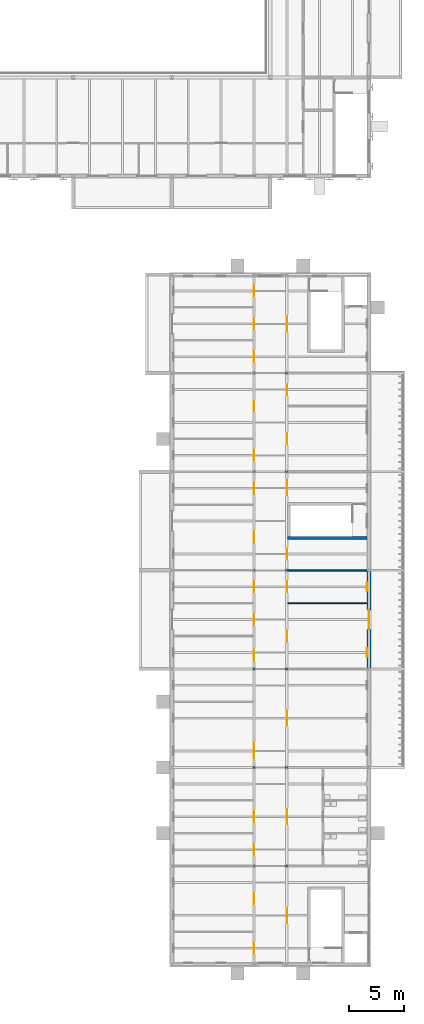
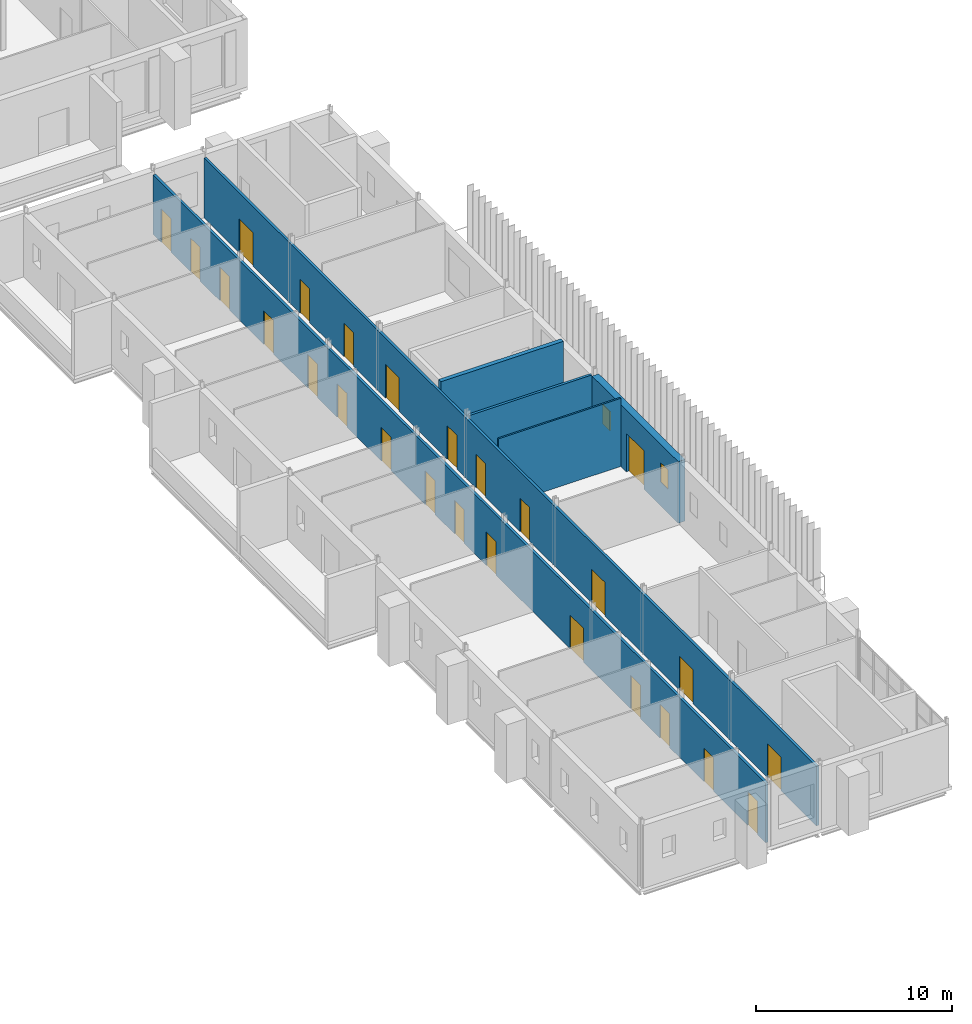
# One storey, part 92 of 131: 26 doors, 6 walls, 2 windows, 28 openings.
"""IFC4 building model written with IfcOpenShell, lengths in metres."""

from ifc_helpers import new_model, si_unit, direction, frame, frame_2d, origin, place, context, subcontext, project, spatial, rectangle, extrude, material, layer, layer_set, type_object, element, fill, save


model = new_model("IFC4")

# Units and contexts
model_context = context("Model", 3, precision=1e-05, world=origin(), true_north=direction((0.0, 1.0)))
body_context = subcontext(model_context, "Body", "Model", "MODEL_VIEW")
ifc_project = project(units=[si_unit("LENGTHUNIT", "METRE"), si_unit("AREAUNIT", "SQUARE_METRE"), si_unit("VOLUMEUNIT", "CUBIC_METRE"), si_unit("PLANEANGLEUNIT", "RADIAN"), si_unit("MASSUNIT", "GRAM", prefix="KILO")], contexts=[model_context])

# Site, building, storey
site_placement = place(None, origin())
site = spatial("IfcSite", under=ifc_project, at=site_placement, CompositionType="ELEMENT")
building_placement = place(site_placement, origin())
building = spatial("IfcBuilding", under=site, at=building_placement, Name="Golden Quay Civic Hall", CompositionType="ELEMENT")
storey_placement = place(building_placement, frame((0.0, 0.0, 9.89990234375)))
storey = spatial("IfcBuildingStorey", under=building, at=storey_placement, Name="L02", CompositionType="ELEMENT", Elevation=9.89990234375)

# Wall, openings, windows, door
ifc_material_1 = material(Name="Brick, dark clay facing", Category="masonry")
ifc_layer_1 = layer(ifc_material_1, 0.39990234375)
ifc_layer_set_1 = layer_set([ifc_layer_1], Name="Brick external wall 400")
wall_type_1 = type_object("IfcWallType", Name="Brick external wall 400", PredefinedType="STANDARD", material=ifc_layer_set_1)
wall_1_placement = place(storey_placement, frame((171.0, 26.905029296875, 0.0), z_axis=(0.0, 0.0, 1.0), x_axis=(0.0, -1.0, 0.0)))
wall_1 = element("IfcWall", 1, at=wall_1_placement, inside=storey, type_object=wall_type_1, Name="Brick external wall 400 L02 22", PredefinedType="STANDARD", context=body_context, shape_type="SweptSolid", body=[
    extrude(rectangle(XDim=8.81005859375, YDim=0.39990234375, at=frame_2d((4.405029296875, 0.0))), origin(), (0.0, 0.0, 1.0), 3.85009765625),
])
opening_1_placement = place(wall_1_placement, frame((3.5048828125, 0.0, 0.0)))
opening_1 = element("IfcOpeningElement", 2, at=opening_1_placement, cuts=wall_1, Name="Opening L02-D007", PredefinedType="OPENING", context=body_context, shape_type="SweptSolid", body=[
    extrude(rectangle(XDim=1.800048828125, YDim=2.39990234375, at=frame_2d((0.89990234375, 1.199951171875))), frame((0.0, 0.2099609375, 0.0), z_axis=(0.0, -1.0, 0.0), x_axis=(1.0, 0.0, 0.0)), (0.0, 0.0, 1.0), 0.419921875),
])
opening_2_placement = place(wall_1_placement, frame((7.030029296875, 0.0, 1.5)))
opening_2 = element("IfcOpeningElement", 3, at=opening_2_placement, cuts=wall_1, Name="Opening WN11", PredefinedType="OPENING", context=body_context, shape_type="SweptSolid", body=[
    extrude(rectangle(XDim=0.75, YDim=1.199951171875, at=frame_2d((0.375, 0.60009765625))), frame((0.0, 0.2099609375, 0.0), z_axis=(0.0, -1.0, 0.0), x_axis=(1.0, 0.0, 0.0)), (0.0, 0.0, 1.0), 0.419921875),
])
opening_3_placement = place(wall_1_placement, frame((1.030029296875, 0.0, 1.5)))
opening_3 = element("IfcOpeningElement", 4, at=opening_3_placement, cuts=wall_1, Name="Opening WN11", PredefinedType="OPENING", context=body_context, shape_type="SweptSolid", body=[
    extrude(rectangle(XDim=0.75, YDim=1.199951171875, at=frame_2d((0.375, 0.60009765625))), frame((0.0, 0.2099609375, 0.0), z_axis=(0.0, -1.0, 0.0), x_axis=(1.0, 0.0, 0.0)), (0.0, 0.0, 1.0), 0.419921875),
])
ifc_material_2 = material(Name="Aluminium frame, double glazed", Category="aluminium")
window_type = type_object("IfcWindowType", Name="Attic pair window 750 x 1200", PartitioningType="SINGLE_PANEL", PredefinedType="WINDOW", material=ifc_material_2)
window_1_placement = place(opening_2_placement, origin())
window_1 = element("IfcWindow", 5, at=window_1_placement, inside=storey, type_object=window_type, Name="Attic pair window 750 x 1200 L02 24", OverallHeight=1.199951171875, OverallWidth=0.75, PartitioningType="SINGLE_PANEL", PredefinedType="WINDOW", context=body_context, shape_type="SweptSolid", body=[
    extrude(rectangle(XDim=0.75, YDim=1.199951171875, at=frame_2d((0.375, 0.60009765625))), frame((0.0, -0.119873046875, 0.0), z_axis=(0.0, -1.0, 0.0), x_axis=(1.0, 0.0, 0.0)), (0.0, 0.0, 1.0), 0.06005859375),
])
fill(opening_2, window_1)
window_2_placement = place(opening_3_placement, origin())
window_2 = element("IfcWindow", 6, at=window_2_placement, inside=storey, type_object=window_type, Name="Attic pair window 750 x 1200 L02 25", OverallHeight=1.199951171875, OverallWidth=0.75, PartitioningType="SINGLE_PANEL", PredefinedType="WINDOW", context=body_context, shape_type="SweptSolid", body=[
    extrude(rectangle(XDim=0.75, YDim=1.199951171875, at=frame_2d((0.375, 0.60009765625))), frame((0.0, -0.119873046875, 0.0), z_axis=(0.0, -1.0, 0.0), x_axis=(1.0, 0.0, 0.0)), (0.0, 0.0, 1.0), 0.06005859375),
])
fill(opening_3, window_2)
ifc_material_3 = material(Name="Aluminium frame, glazed", Category="aluminium")
door_type_1 = type_object("IfcDoorType", Name="Glazed double terrace door 1800 x 2400", OperationType="DOUBLE_DOOR_SINGLE_SWING", PredefinedType="DOOR", material=ifc_material_3)
door_1_placement = place(opening_1_placement, origin())
door_1 = element("IfcDoor", 7, at=door_1_placement, inside=storey, type_object=door_type_1, Name="Door L02-D007", OperationType="DOUBLE_DOOR_SINGLE_SWING", OverallHeight=2.39990234375, OverallWidth=1.800048828125, PredefinedType="DOOR", context=body_context, shape_type="SweptSolid", body=[
    extrude(rectangle(XDim=1.800048828125, YDim=2.39990234375, at=frame_2d((0.89990234375, 1.199951171875))), frame((0.0, 0.02490234375, 0.0), z_axis=(0.0, -1.0, 0.0), x_axis=(1.0, 0.0, 0.0)), (0.0, 0.0, 1.0), 0.050048828125),
])
fill(opening_1, door_1)

# Walls
ifc_material_4 = material(Name="Concrete C40/50", Category="concrete")
ifc_layer_2 = layer(ifc_material_4, 0.25)
ifc_layer_set_2 = layer_set([ifc_layer_2], Name="Concrete core wall 250, Concrete C40/50")
wall_type_2 = type_object("IfcWallType", Name="Concrete core wall 250", PredefinedType="SHEAR", material=ifc_layer_set_2)
wall_2_placement = place(storey_placement, frame((163.574951171875, 29.949951171875, 0.0), z_axis=(0.0, 0.0, 1.0), x_axis=(1.0, 0.0, 0.0)))
element("IfcWall", 8, at=wall_2_placement, inside=storey, type_object=wall_type_2, Name="Core wall EO-M-W2", PredefinedType="SHEAR", context=body_context, shape_type="SweptSolid", body=[
    extrude(rectangle(XDim=7.22509765625, YDim=0.25, at=frame_2d((3.612548828125, 0.0))), origin(), (0.0, 0.0, 1.0), 4.25),
])
ifc_material_5 = material(Name="Plasterboard on steel studs", Category="steel")
ifc_layer_3 = layer(ifc_material_5, 0.10009765625)
ifc_layer_set_3 = layer_set([ifc_layer_3], Name="Partition 100 stud")
wall_type_3 = type_object("IfcWallType", Name="Partition 100 stud", PredefinedType="PARTITIONING", material=ifc_layer_set_3)
wall_3_placement = place(storey_placement, frame((163.574951171875, 24.0, 0.0), z_axis=(0.0, 0.0, 1.0), x_axis=(1.0, 0.0, 0.0)))
element("IfcWall", 9, at=wall_3_placement, inside=storey, type_object=wall_type_3, Name="Partition L02-002", PredefinedType="PARTITIONING", context=body_context, shape_type="SweptSolid", body=[
    extrude(rectangle(XDim=7.22509765625, YDim=0.10009765625, at=frame_2d((3.612548828125, 0.0))), origin(), (0.0, 0.0, 1.0), 4.25),
])
ifc_material_6 = material(Name="Plasterboard on steel studs", Category="steel")
ifc_layer_4 = layer(ifc_material_6, 0.14990234375)
ifc_layer_set_4 = layer_set([ifc_layer_4], Name="Partition 150 stud fire EI 60")
wall_type_4 = type_object("IfcWallType", Name="Partition 150 stud fire EI 60", PredefinedType="PARTITIONING", material=ifc_layer_set_4)
wall_4_placement = place(storey_placement, frame((163.574951171875, 27.0, 0.0), z_axis=(0.0, 0.0, 1.0), x_axis=(1.0, 0.0, 0.0)))
element("IfcWall", 10, at=wall_4_placement, inside=storey, type_object=wall_type_4, Name="Partition L02-003", PredefinedType="PARTITIONING", context=body_context, shape_type="SweptSolid", body=[
    extrude(rectangle(XDim=7.22509765625, YDim=0.14990234375, at=frame_2d((3.612548828125, 0.0))), origin(), (0.0, 0.0, 1.0), 3.900146484375),
])

# Wall, openings, doors
wall_5_placement = place(storey_placement, frame((163.5, -8.800048828125, 0.0), z_axis=(0.0, 0.0, 1.0), x_axis=(0.0, 1.0, 0.0)))
wall_5 = element("IfcWall", 11, at=wall_5_placement, inside=storey, type_object=wall_type_4, Name="Partition L02-022", PredefinedType="PARTITIONING", context=body_context, shape_type="SweptSolid", body=[
    extrude(rectangle(XDim=62.60009765625, YDim=0.14990234375, at=frame_2d((31.300048828125, 0.0))), origin(), (0.0, 0.0, 1.0), 3.72998046875),
])
opening_4_placement = place(wall_5_placement, frame((21.60009765625, 0.0, 0.0)))
opening_4 = element("IfcOpeningElement", 12, at=opening_4_placement, cuts=wall_5, Name="Opening L02-D130", PredefinedType="OPENING", context=body_context, shape_type="SweptSolid", body=[
    extrude(rectangle(XDim=1.39990234375, YDim=2.10009765625, at=frame_2d((0.699951171875, 1.050048828125))), frame((0.0, 0.0849609375, 0.0), z_axis=(0.0, -1.0, 0.0), x_axis=(1.0, 0.0, 0.0)), (0.0, 0.0, 1.0), 0.169921875),
])
opening_5_placement = place(wall_5_placement, frame((29.300048828125, 0.0, 0.0)))
opening_5 = element("IfcOpeningElement", 13, at=opening_5_placement, cuts=wall_5, Name="Opening L02-D131", PredefinedType="OPENING", context=body_context, shape_type="SweptSolid", body=[
    extrude(rectangle(XDim=1.0, YDim=2.10009765625, at=frame_2d((0.5, 1.050048828125))), frame((0.0, 0.0849609375, 0.0), z_axis=(0.0, -1.0, 0.0), x_axis=(1.0, 0.0, 0.0)), (0.0, 0.0, 1.0), 0.169921875),
])
opening_6_placement = place(wall_5_placement, frame((33.800048828125, 0.0, 0.0)))
opening_6 = element("IfcOpeningElement", 14, at=opening_6_placement, cuts=wall_5, Name="Opening L02-D132", PredefinedType="OPENING", context=body_context, shape_type="SweptSolid", body=[
    extrude(rectangle(XDim=1.0, YDim=2.10009765625, at=frame_2d((0.5, 1.050048828125))), frame((0.0, 0.0849609375, 0.0), z_axis=(0.0, -1.0, 0.0), x_axis=(1.0, 0.0, 0.0)), (0.0, 0.0, 1.0), 0.169921875),
])
opening_7_placement = place(wall_5_placement, frame((47.300048828125, 0.0, 0.0)))
opening_7 = element("IfcOpeningElement", 15, at=opening_7_placement, cuts=wall_5, Name="Opening L02-D133", PredefinedType="OPENING", context=body_context, shape_type="SweptSolid", body=[
    extrude(rectangle(XDim=1.0, YDim=2.10009765625, at=frame_2d((0.5, 1.050048828125))), frame((0.0, 0.0849609375, 0.0), z_axis=(0.0, -1.0, 0.0), x_axis=(1.0, 0.0, 0.0)), (0.0, 0.0, 1.0), 0.169921875),
])
opening_8_placement = place(wall_5_placement, frame((51.800048828125, 0.0, 0.0)))
opening_8 = element("IfcOpeningElement", 16, at=opening_8_placement, cuts=wall_5, Name="Opening L02-D134", PredefinedType="OPENING", context=body_context, shape_type="SweptSolid", body=[
    extrude(rectangle(XDim=1.0, YDim=2.10009765625, at=frame_2d((0.5, 1.050048828125))), frame((0.0, 0.0849609375, 0.0), z_axis=(0.0, -1.0, 0.0), x_axis=(1.0, 0.0, 0.0)), (0.0, 0.0, 1.0), 0.169921875),
])
opening_9_placement = place(wall_5_placement, frame((12.60009765625, 0.0, 0.0)))
opening_9 = element("IfcOpeningElement", 17, at=opening_9_placement, cuts=wall_5, Name="Opening L02-D150", PredefinedType="OPENING", context=body_context, shape_type="SweptSolid", body=[
    extrude(rectangle(XDim=1.39990234375, YDim=2.10009765625, at=frame_2d((0.699951171875, 1.050048828125))), frame((0.0, 0.0849609375, 0.0), z_axis=(0.0, -1.0, 0.0), x_axis=(1.0, 0.0, 0.0)), (0.0, 0.0, 1.0), 0.169921875),
])
opening_10_placement = place(wall_5_placement, frame((3.60009765625, 0.0, 0.0)))
opening_10 = element("IfcOpeningElement", 18, at=opening_10_placement, cuts=wall_5, Name="Opening L02-D155", PredefinedType="OPENING", context=body_context, shape_type="SweptSolid", body=[
    extrude(rectangle(XDim=1.39990234375, YDim=2.10009765625, at=frame_2d((0.699951171875, 1.050048828125))), frame((0.0, 0.0849609375, 0.0), z_axis=(0.0, -1.0, 0.0), x_axis=(1.0, 0.0, 0.0)), (0.0, 0.0, 1.0), 0.169921875),
])
opening_11_placement = place(wall_5_placement, frame((57.60009765625, 0.0, 0.0)))
opening_11 = element("IfcOpeningElement", 19, at=opening_11_placement, cuts=wall_5, Name="Opening L02-D157", PredefinedType="OPENING", context=body_context, shape_type="SweptSolid", body=[
    extrude(rectangle(XDim=1.39990234375, YDim=2.10009765625, at=frame_2d((0.699951171875, 1.050048828125))), frame((0.0, 0.0849609375, 0.0), z_axis=(0.0, -1.0, 0.0), x_axis=(1.0, 0.0, 0.0)), (0.0, 0.0, 1.0), 0.169921875),
])
opening_12_placement = place(wall_5_placement, frame((36.75, 0.0, 0.0)))
opening_12 = element("IfcOpeningElement", 20, at=opening_12_placement, cuts=wall_5, Name="Opening L02-D158", PredefinedType="OPENING", context=body_context, shape_type="SweptSolid", body=[
    extrude(rectangle(XDim=1.0, YDim=2.10009765625, at=frame_2d((0.5, 1.050048828125))), frame((0.0, 0.0849609375, 0.0), z_axis=(0.0, -1.0, 0.0), x_axis=(1.0, 0.0, 0.0)), (0.0, 0.0, 1.0), 0.169921875),
])
opening_13_placement = place(wall_5_placement, frame((42.64990234375, 0.0, 0.0)))
opening_13 = element("IfcOpeningElement", 21, at=opening_13_placement, cuts=wall_5, Name="Opening L02-D160", PredefinedType="OPENING", context=body_context, shape_type="SweptSolid", body=[
    extrude(rectangle(XDim=1.39990234375, YDim=2.10009765625, at=frame_2d((0.699951171875, 1.050048828125))), frame((0.0, 0.0849609375, 0.0), z_axis=(0.0, -1.0, 0.0), x_axis=(1.0, 0.0, 0.0)), (0.0, 0.0, 1.0), 0.169921875),
])
ifc_material_7 = material(Name="Steel", Category="steel")
door_type_2 = type_object("IfcDoorType", Name="Steel double fire door FD30S 1400 x 2100", OperationType="DOUBLE_DOOR_SINGLE_SWING", PredefinedType="DOOR", material=ifc_material_7)
door_2_placement = place(opening_4_placement, frame((1.39990234375, 0.0, 0.0), z_axis=(0.0, 0.0, 1.0), x_axis=(-1.0, 0.0, 0.0)))
door_2 = element("IfcDoor", 22, at=door_2_placement, inside=storey, type_object=door_type_2, Name="Door L02-D130", OperationType="DOUBLE_DOOR_SINGLE_SWING", OverallHeight=2.10009765625, OverallWidth=1.39990234375, PredefinedType="DOOR", context=body_context, shape_type="SweptSolid", body=[
    extrude(rectangle(XDim=1.39990234375, YDim=2.10009765625, at=frame_2d((0.699951171875, 1.050048828125))), frame((0.0, 0.025146484375, 0.0), z_axis=(0.0, -1.0, 0.0), x_axis=(1.0, 0.0, 0.0)), (0.0, 0.0, 1.0), 0.050048828125),
])
fill(opening_4, door_2)
door_3_placement = place(opening_9_placement, frame((1.39990234375, 0.0, 0.0), z_axis=(0.0, 0.0, 1.0), x_axis=(-1.0, 0.0, 0.0)))
door_3 = element("IfcDoor", 23, at=door_3_placement, inside=storey, type_object=door_type_2, Name="Door L02-D150", OperationType="DOUBLE_DOOR_SINGLE_SWING", OverallHeight=2.10009765625, OverallWidth=1.39990234375, PredefinedType="DOOR", context=body_context, shape_type="SweptSolid", body=[
    extrude(rectangle(XDim=1.39990234375, YDim=2.10009765625, at=frame_2d((0.699951171875, 1.050048828125))), frame((0.0, 0.025146484375, 0.0), z_axis=(0.0, -1.0, 0.0), x_axis=(1.0, 0.0, 0.0)), (0.0, 0.0, 1.0), 0.050048828125),
])
fill(opening_9, door_3)
door_4_placement = place(opening_10_placement, origin())
door_4 = element("IfcDoor", 24, at=door_4_placement, inside=storey, type_object=door_type_2, Name="Door L02-D155", OperationType="DOUBLE_DOOR_SINGLE_SWING", OverallHeight=2.10009765625, OverallWidth=1.39990234375, PredefinedType="DOOR", context=body_context, shape_type="SweptSolid", body=[
    extrude(rectangle(XDim=1.39990234375, YDim=2.10009765625, at=frame_2d((0.699951171875, 1.050048828125))), frame((0.0, 0.02490234375, 0.0), z_axis=(0.0, -1.0, 0.0), x_axis=(1.0, 0.0, 0.0)), (0.0, 0.0, 1.0), 0.050048828125),
])
fill(opening_10, door_4)
door_5_placement = place(opening_11_placement, origin())
door_5 = element("IfcDoor", 25, at=door_5_placement, inside=storey, type_object=door_type_2, Name="Door L02-D157", OperationType="DOUBLE_DOOR_SINGLE_SWING", OverallHeight=2.10009765625, OverallWidth=1.39990234375, PredefinedType="DOOR", context=body_context, shape_type="SweptSolid", body=[
    extrude(rectangle(XDim=1.39990234375, YDim=2.10009765625, at=frame_2d((0.699951171875, 1.050048828125))), frame((0.0, 0.02490234375, 0.0), z_axis=(0.0, -1.0, 0.0), x_axis=(1.0, 0.0, 0.0)), (0.0, 0.0, 1.0), 0.050048828125),
])
fill(opening_11, door_5)
door_6_placement = place(opening_13_placement, origin())
door_6 = element("IfcDoor", 26, at=door_6_placement, inside=storey, type_object=door_type_2, Name="Door L02-D160", OperationType="DOUBLE_DOOR_SINGLE_SWING", OverallHeight=2.10009765625, OverallWidth=1.39990234375, PredefinedType="DOOR", context=body_context, shape_type="SweptSolid", body=[
    extrude(rectangle(XDim=1.39990234375, YDim=2.10009765625, at=frame_2d((0.699951171875, 1.050048828125))), frame((0.0, 0.02490234375, 0.0), z_axis=(0.0, -1.0, 0.0), x_axis=(1.0, 0.0, 0.0)), (0.0, 0.0, 1.0), 0.050048828125),
])
fill(opening_13, door_6)
ifc_material_8 = material(Name="Steel", Category="steel")
door_type_3 = type_object("IfcDoorType", Name="Steel fire door FD30S 1000 x 2100", OperationType="SINGLE_SWING_LEFT", PredefinedType="DOOR", material=ifc_material_8)
door_7_placement = place(opening_5_placement, frame((1.0, 0.0, 0.0), z_axis=(0.0, 0.0, 1.0), x_axis=(-1.0, 0.0, 0.0)))
door_7 = element("IfcDoor", 27, at=door_7_placement, inside=storey, type_object=door_type_3, Name="Door L02-D131", OperationType="SINGLE_SWING_RIGHT", OverallHeight=2.10009765625, OverallWidth=1.0, PredefinedType="DOOR", context=body_context, shape_type="SweptSolid", body=[
    extrude(rectangle(XDim=1.0, YDim=2.10009765625, at=frame_2d((0.5, 1.050048828125))), frame((0.0, 0.025146484375, 0.0), z_axis=(0.0, -1.0, 0.0), x_axis=(1.0, 0.0, 0.0)), (0.0, 0.0, 1.0), 0.050048828125),
])
fill(opening_5, door_7)
door_8_placement = place(opening_6_placement, frame((1.0, 0.0, 0.0), z_axis=(0.0, 0.0, 1.0), x_axis=(-1.0, 0.0, 0.0)))
door_8 = element("IfcDoor", 28, at=door_8_placement, inside=storey, type_object=door_type_3, Name="Door L02-D132", OperationType="SINGLE_SWING_RIGHT", OverallHeight=2.10009765625, OverallWidth=1.0, PredefinedType="DOOR", context=body_context, shape_type="SweptSolid", body=[
    extrude(rectangle(XDim=1.0, YDim=2.10009765625, at=frame_2d((0.5, 1.050048828125))), frame((0.0, 0.025146484375, 0.0), z_axis=(0.0, -1.0, 0.0), x_axis=(1.0, 0.0, 0.0)), (0.0, 0.0, 1.0), 0.050048828125),
])
fill(opening_6, door_8)
door_9_placement = place(opening_7_placement, frame((1.0, 0.0, 0.0), z_axis=(0.0, 0.0, 1.0), x_axis=(-1.0, 0.0, 0.0)))
door_9 = element("IfcDoor", 29, at=door_9_placement, inside=storey, type_object=door_type_3, Name="Door L02-D133", OperationType="SINGLE_SWING_RIGHT", OverallHeight=2.10009765625, OverallWidth=1.0, PredefinedType="DOOR", context=body_context, shape_type="SweptSolid", body=[
    extrude(rectangle(XDim=1.0, YDim=2.10009765625, at=frame_2d((0.5, 1.050048828125))), frame((0.0, 0.025146484375, 0.0), z_axis=(0.0, -1.0, 0.0), x_axis=(1.0, 0.0, 0.0)), (0.0, 0.0, 1.0), 0.050048828125),
])
fill(opening_7, door_9)
door_10_placement = place(opening_8_placement, frame((1.0, 0.0, 0.0), z_axis=(0.0, 0.0, 1.0), x_axis=(-1.0, 0.0, 0.0)))
door_10 = element("IfcDoor", 30, at=door_10_placement, inside=storey, type_object=door_type_3, Name="Door L02-D134", OperationType="SINGLE_SWING_RIGHT", OverallHeight=2.10009765625, OverallWidth=1.0, PredefinedType="DOOR", context=body_context, shape_type="SweptSolid", body=[
    extrude(rectangle(XDim=1.0, YDim=2.10009765625, at=frame_2d((0.5, 1.050048828125))), frame((0.0, 0.025146484375, 0.0), z_axis=(0.0, -1.0, 0.0), x_axis=(1.0, 0.0, 0.0)), (0.0, 0.0, 1.0), 0.050048828125),
])
fill(opening_8, door_10)
door_11_placement = place(opening_12_placement, frame((1.0, 0.0, 0.0), z_axis=(0.0, 0.0, 1.0), x_axis=(-1.0, 0.0, 0.0)))
door_11 = element("IfcDoor", 31, at=door_11_placement, inside=storey, type_object=door_type_3, Name="Door L02-D158", OperationType="SINGLE_SWING_RIGHT", OverallHeight=2.10009765625, OverallWidth=1.0, PredefinedType="DOOR", context=body_context, shape_type="SweptSolid", body=[
    extrude(rectangle(XDim=1.0, YDim=2.10009765625, at=frame_2d((0.5, 1.050048828125))), frame((0.0, 0.025146484375, 0.0), z_axis=(0.0, -1.0, 0.0), x_axis=(1.0, 0.0, 0.0)), (0.0, 0.0, 1.0), 0.050048828125),
])
fill(opening_12, door_11)

wall_6_placement = place(storey_placement, frame((160.5, -8.800048828125, 0.0), z_axis=(0.0, 0.0, 1.0), x_axis=(0.0, 1.0, 0.0)))
wall_6 = element("IfcWall", 32, at=wall_6_placement, inside=storey, type_object=wall_type_4, Name="Partition L02-023", PredefinedType="PARTITIONING", context=body_context, shape_type="SweptSolid", body=[
    extrude(rectangle(XDim=62.60009765625, YDim=0.14990234375, at=frame_2d((31.300048828125, 0.0))), origin(), (0.0, 0.0, 1.0), 3.72998046875),
])
opening_14_placement = place(wall_6_placement, frame((0.800048828125, 0.0, 0.0)))
opening_14 = element("IfcOpeningElement", 33, at=opening_14_placement, cuts=wall_6, Name="Opening L02-D135", PredefinedType="OPENING", context=body_context, shape_type="SweptSolid", body=[
    extrude(rectangle(XDim=1.0, YDim=2.10009765625, at=frame_2d((0.5, 1.050048828125))), frame((0.0, 0.0849609375, 0.0), z_axis=(0.0, -1.0, 0.0), x_axis=(1.0, 0.0, 0.0)), (0.0, 0.0, 1.0), 0.169921875),
])
opening_15_placement = place(wall_6_placement, frame((5.300048828125, 0.0, 0.0)))
opening_15 = element("IfcOpeningElement", 34, at=opening_15_placement, cuts=wall_6, Name="Opening L02-D136", PredefinedType="OPENING", context=body_context, shape_type="SweptSolid", body=[
    extrude(rectangle(XDim=1.0, YDim=2.10009765625, at=frame_2d((0.5, 1.050048828125))), frame((0.0, 0.0849609375, 0.0), z_axis=(0.0, -1.0, 0.0), x_axis=(1.0, 0.0, 0.0)), (0.0, 0.0, 1.0), 0.169921875),
])
opening_16_placement = place(wall_6_placement, frame((9.800048828125, 0.0, 0.0)))
opening_16 = element("IfcOpeningElement", 35, at=opening_16_placement, cuts=wall_6, Name="Opening L02-D137", PredefinedType="OPENING", context=body_context, shape_type="SweptSolid", body=[
    extrude(rectangle(XDim=1.0, YDim=2.10009765625, at=frame_2d((0.5, 1.050048828125))), frame((0.0, 0.0849609375, 0.0), z_axis=(0.0, -1.0, 0.0), x_axis=(1.0, 0.0, 0.0)), (0.0, 0.0, 1.0), 0.169921875),
])
opening_17_placement = place(wall_6_placement, frame((12.800048828125, 0.0, 0.0)))
opening_17 = element("IfcOpeningElement", 36, at=opening_17_placement, cuts=wall_6, Name="Opening L02-D138", PredefinedType="OPENING", context=body_context, shape_type="SweptSolid", body=[
    extrude(rectangle(XDim=1.0, YDim=2.10009765625, at=frame_2d((0.5, 1.050048828125))), frame((0.0, 0.0849609375, 0.0), z_axis=(0.0, -1.0, 0.0), x_axis=(1.0, 0.0, 0.0)), (0.0, 0.0, 1.0), 0.169921875),
])
opening_18_placement = place(wall_6_placement, frame((18.60009765625, 0.0, 0.0)))
opening_18 = element("IfcOpeningElement", 37, at=opening_18_placement, cuts=wall_6, Name="Opening L02-D139", PredefinedType="OPENING", context=body_context, shape_type="SweptSolid", body=[
    extrude(rectangle(XDim=1.39990234375, YDim=2.10009765625, at=frame_2d((0.699951171875, 1.050048828125))), frame((0.0, 0.0849609375, 0.0), z_axis=(0.0, -1.0, 0.0), x_axis=(1.0, 0.0, 0.0)), (0.0, 0.0, 1.0), 0.169921875),
])
opening_19_placement = place(wall_6_placement, frame((27.550048828125, 0.0, 0.0)))
opening_19 = element("IfcOpeningElement", 38, at=opening_19_placement, cuts=wall_6, Name="Opening L02-D140", PredefinedType="OPENING", context=body_context, shape_type="SweptSolid", body=[
    extrude(rectangle(XDim=1.0, YDim=2.10009765625, at=frame_2d((0.5, 1.050048828125))), frame((0.0, 0.0849609375, 0.0), z_axis=(0.0, -1.0, 0.0), x_axis=(1.0, 0.0, 0.0)), (0.0, 0.0, 1.0), 0.169921875),
])
opening_20_placement = place(wall_6_placement, frame((30.800048828125, 0.0, 0.0)))
opening_20 = element("IfcOpeningElement", 39, at=opening_20_placement, cuts=wall_6, Name="Opening L02-D141", PredefinedType="OPENING", context=body_context, shape_type="SweptSolid", body=[
    extrude(rectangle(XDim=1.0, YDim=2.10009765625, at=frame_2d((0.5, 1.050048828125))), frame((0.0, 0.0849609375, 0.0), z_axis=(0.0, -1.0, 0.0), x_axis=(1.0, 0.0, 0.0)), (0.0, 0.0, 1.0), 0.169921875),
])
opening_21_placement = place(wall_6_placement, frame((33.800048828125, 0.0, 0.0)))
opening_21 = element("IfcOpeningElement", 40, at=opening_21_placement, cuts=wall_6, Name="Opening L02-D142", PredefinedType="OPENING", context=body_context, shape_type="SweptSolid", body=[
    extrude(rectangle(XDim=1.0, YDim=2.10009765625, at=frame_2d((0.5, 1.050048828125))), frame((0.0, 0.0849609375, 0.0), z_axis=(0.0, -1.0, 0.0), x_axis=(1.0, 0.0, 0.0)), (0.0, 0.0, 1.0), 0.169921875),
])
opening_22_placement = place(wall_6_placement, frame((38.300048828125, 0.0, 0.0)))
opening_22 = element("IfcOpeningElement", 41, at=opening_22_placement, cuts=wall_6, Name="Opening L02-D143", PredefinedType="OPENING", context=body_context, shape_type="SweptSolid", body=[
    extrude(rectangle(XDim=1.0, YDim=2.10009765625, at=frame_2d((0.5, 1.050048828125))), frame((0.0, 0.0849609375, 0.0), z_axis=(0.0, -1.0, 0.0), x_axis=(1.0, 0.0, 0.0)), (0.0, 0.0, 1.0), 0.169921875),
])
opening_23_placement = place(wall_6_placement, frame((42.800048828125, 0.0, 0.0)))
opening_23 = element("IfcOpeningElement", 42, at=opening_23_placement, cuts=wall_6, Name="Opening L02-D144", PredefinedType="OPENING", context=body_context, shape_type="SweptSolid", body=[
    extrude(rectangle(XDim=1.0, YDim=2.10009765625, at=frame_2d((0.5, 1.050048828125))), frame((0.0, 0.0849609375, 0.0), z_axis=(0.0, -1.0, 0.0), x_axis=(1.0, 0.0, 0.0)), (0.0, 0.0, 1.0), 0.169921875),
])
opening_24_placement = place(wall_6_placement, frame((45.800048828125, 0.0, 0.0)))
opening_24 = element("IfcOpeningElement", 43, at=opening_24_placement, cuts=wall_6, Name="Opening L02-D145", PredefinedType="OPENING", context=body_context, shape_type="SweptSolid", body=[
    extrude(rectangle(XDim=1.0, YDim=2.10009765625, at=frame_2d((0.5, 1.050048828125))), frame((0.0, 0.0849609375, 0.0), z_axis=(0.0, -1.0, 0.0), x_axis=(1.0, 0.0, 0.0)), (0.0, 0.0, 1.0), 0.169921875),
])
opening_25_placement = place(wall_6_placement, frame((50.300048828125, 0.0, 0.0)))
opening_25 = element("IfcOpeningElement", 44, at=opening_25_placement, cuts=wall_6, Name="Opening L02-D146", PredefinedType="OPENING", context=body_context, shape_type="SweptSolid", body=[
    extrude(rectangle(XDim=1.0, YDim=2.10009765625, at=frame_2d((0.5, 1.050048828125))), frame((0.0, 0.0849609375, 0.0), z_axis=(0.0, -1.0, 0.0), x_axis=(1.0, 0.0, 0.0)), (0.0, 0.0, 1.0), 0.169921875),
])
opening_26_placement = place(wall_6_placement, frame((54.800048828125, 0.0, 0.0)))
opening_26 = element("IfcOpeningElement", 45, at=opening_26_placement, cuts=wall_6, Name="Opening L02-D147", PredefinedType="OPENING", context=body_context, shape_type="SweptSolid", body=[
    extrude(rectangle(XDim=1.0, YDim=2.10009765625, at=frame_2d((0.5, 1.050048828125))), frame((0.0, 0.0849609375, 0.0), z_axis=(0.0, -1.0, 0.0), x_axis=(1.0, 0.0, 0.0)), (0.0, 0.0, 1.0), 0.169921875),
])
opening_27_placement = place(wall_6_placement, frame((57.800048828125, 0.0, 0.0)))
opening_27 = element("IfcOpeningElement", 46, at=opening_27_placement, cuts=wall_6, Name="Opening L02-D148", PredefinedType="OPENING", context=body_context, shape_type="SweptSolid", body=[
    extrude(rectangle(XDim=1.0, YDim=2.10009765625, at=frame_2d((0.5, 1.050048828125))), frame((0.0, 0.0849609375, 0.0), z_axis=(0.0, -1.0, 0.0), x_axis=(1.0, 0.0, 0.0)), (0.0, 0.0, 1.0), 0.169921875),
])
opening_28_placement = place(wall_6_placement, frame((60.800048828125, 0.0, 0.0)))
opening_28 = element("IfcOpeningElement", 47, at=opening_28_placement, cuts=wall_6, Name="Opening L02-D149", PredefinedType="OPENING", context=body_context, shape_type="SweptSolid", body=[
    extrude(rectangle(XDim=1.0, YDim=2.10009765625, at=frame_2d((0.5, 1.050048828125))), frame((0.0, 0.0849609375, 0.0), z_axis=(0.0, -1.0, 0.0), x_axis=(1.0, 0.0, 0.0)), (0.0, 0.0, 1.0), 0.169921875),
])
door_12_placement = place(opening_18_placement, origin())
door_12 = element("IfcDoor", 48, at=door_12_placement, inside=storey, type_object=door_type_2, Name="Door L02-D139", OperationType="DOUBLE_DOOR_SINGLE_SWING", OverallHeight=2.10009765625, OverallWidth=1.39990234375, PredefinedType="DOOR", context=body_context, shape_type="SweptSolid", body=[
    extrude(rectangle(XDim=1.39990234375, YDim=2.10009765625, at=frame_2d((0.699951171875, 1.050048828125))), frame((0.0, 0.02490234375, 0.0), z_axis=(0.0, -1.0, 0.0), x_axis=(1.0, 0.0, 0.0)), (0.0, 0.0, 1.0), 0.050048828125),
])
fill(opening_18, door_12)
door_13_placement = place(opening_14_placement, origin())
door_13 = element("IfcDoor", 49, at=door_13_placement, inside=storey, type_object=door_type_3, Name="Door L02-D135", OperationType="SINGLE_SWING_LEFT", OverallHeight=2.10009765625, OverallWidth=1.0, PredefinedType="DOOR", context=body_context, shape_type="SweptSolid", body=[
    extrude(rectangle(XDim=1.0, YDim=2.10009765625, at=frame_2d((0.5, 1.050048828125))), frame((0.0, 0.02490234375, 0.0), z_axis=(0.0, -1.0, 0.0), x_axis=(1.0, 0.0, 0.0)), (0.0, 0.0, 1.0), 0.050048828125),
])
fill(opening_14, door_13)
door_14_placement = place(opening_15_placement, origin())
door_14 = element("IfcDoor", 50, at=door_14_placement, inside=storey, type_object=door_type_3, Name="Door L02-D136", OperationType="SINGLE_SWING_LEFT", OverallHeight=2.10009765625, OverallWidth=1.0, PredefinedType="DOOR", context=body_context, shape_type="SweptSolid", body=[
    extrude(rectangle(XDim=1.0, YDim=2.10009765625, at=frame_2d((0.5, 1.050048828125))), frame((0.0, 0.02490234375, 0.0), z_axis=(0.0, -1.0, 0.0), x_axis=(1.0, 0.0, 0.0)), (0.0, 0.0, 1.0), 0.050048828125),
])
fill(opening_15, door_14)
door_15_placement = place(opening_16_placement, origin())
door_15 = element("IfcDoor", 51, at=door_15_placement, inside=storey, type_object=door_type_3, Name="Door L02-D137", OperationType="SINGLE_SWING_LEFT", OverallHeight=2.10009765625, OverallWidth=1.0, PredefinedType="DOOR", context=body_context, shape_type="SweptSolid", body=[
    extrude(rectangle(XDim=1.0, YDim=2.10009765625, at=frame_2d((0.5, 1.050048828125))), frame((0.0, 0.02490234375, 0.0), z_axis=(0.0, -1.0, 0.0), x_axis=(1.0, 0.0, 0.0)), (0.0, 0.0, 1.0), 0.050048828125),
])
fill(opening_16, door_15)
door_16_placement = place(opening_17_placement, origin())
door_16 = element("IfcDoor", 52, at=door_16_placement, inside=storey, type_object=door_type_3, Name="Door L02-D138", OperationType="SINGLE_SWING_LEFT", OverallHeight=2.10009765625, OverallWidth=1.0, PredefinedType="DOOR", context=body_context, shape_type="SweptSolid", body=[
    extrude(rectangle(XDim=1.0, YDim=2.10009765625, at=frame_2d((0.5, 1.050048828125))), frame((0.0, 0.02490234375, 0.0), z_axis=(0.0, -1.0, 0.0), x_axis=(1.0, 0.0, 0.0)), (0.0, 0.0, 1.0), 0.050048828125),
])
fill(opening_17, door_16)
door_17_placement = place(opening_19_placement, origin())
door_17 = element("IfcDoor", 53, at=door_17_placement, inside=storey, type_object=door_type_3, Name="Door L02-D140", OperationType="SINGLE_SWING_LEFT", OverallHeight=2.10009765625, OverallWidth=1.0, PredefinedType="DOOR", context=body_context, shape_type="SweptSolid", body=[
    extrude(rectangle(XDim=1.0, YDim=2.10009765625, at=frame_2d((0.5, 1.050048828125))), frame((0.0, 0.02490234375, 0.0), z_axis=(0.0, -1.0, 0.0), x_axis=(1.0, 0.0, 0.0)), (0.0, 0.0, 1.0), 0.050048828125),
])
fill(opening_19, door_17)
door_18_placement = place(opening_20_placement, origin())
door_18 = element("IfcDoor", 54, at=door_18_placement, inside=storey, type_object=door_type_3, Name="Door L02-D141", OperationType="SINGLE_SWING_LEFT", OverallHeight=2.10009765625, OverallWidth=1.0, PredefinedType="DOOR", context=body_context, shape_type="SweptSolid", body=[
    extrude(rectangle(XDim=1.0, YDim=2.10009765625, at=frame_2d((0.5, 1.050048828125))), frame((0.0, 0.02490234375, 0.0), z_axis=(0.0, -1.0, 0.0), x_axis=(1.0, 0.0, 0.0)), (0.0, 0.0, 1.0), 0.050048828125),
])
fill(opening_20, door_18)
door_19_placement = place(opening_21_placement, origin())
door_19 = element("IfcDoor", 55, at=door_19_placement, inside=storey, type_object=door_type_3, Name="Door L02-D142", OperationType="SINGLE_SWING_LEFT", OverallHeight=2.10009765625, OverallWidth=1.0, PredefinedType="DOOR", context=body_context, shape_type="SweptSolid", body=[
    extrude(rectangle(XDim=1.0, YDim=2.10009765625, at=frame_2d((0.5, 1.050048828125))), frame((0.0, 0.02490234375, 0.0), z_axis=(0.0, -1.0, 0.0), x_axis=(1.0, 0.0, 0.0)), (0.0, 0.0, 1.0), 0.050048828125),
])
fill(opening_21, door_19)
door_20_placement = place(opening_22_placement, origin())
door_20 = element("IfcDoor", 56, at=door_20_placement, inside=storey, type_object=door_type_3, Name="Door L02-D143", OperationType="SINGLE_SWING_LEFT", OverallHeight=2.10009765625, OverallWidth=1.0, PredefinedType="DOOR", context=body_context, shape_type="SweptSolid", body=[
    extrude(rectangle(XDim=1.0, YDim=2.10009765625, at=frame_2d((0.5, 1.050048828125))), frame((0.0, 0.02490234375, 0.0), z_axis=(0.0, -1.0, 0.0), x_axis=(1.0, 0.0, 0.0)), (0.0, 0.0, 1.0), 0.050048828125),
])
fill(opening_22, door_20)
door_21_placement = place(opening_23_placement, origin())
door_21 = element("IfcDoor", 57, at=door_21_placement, inside=storey, type_object=door_type_3, Name="Door L02-D144", OperationType="SINGLE_SWING_LEFT", OverallHeight=2.10009765625, OverallWidth=1.0, PredefinedType="DOOR", context=body_context, shape_type="SweptSolid", body=[
    extrude(rectangle(XDim=1.0, YDim=2.10009765625, at=frame_2d((0.5, 1.050048828125))), frame((0.0, 0.02490234375, 0.0), z_axis=(0.0, -1.0, 0.0), x_axis=(1.0, 0.0, 0.0)), (0.0, 0.0, 1.0), 0.050048828125),
])
fill(opening_23, door_21)
door_22_placement = place(opening_24_placement, origin())
door_22 = element("IfcDoor", 58, at=door_22_placement, inside=storey, type_object=door_type_3, Name="Door L02-D145", OperationType="SINGLE_SWING_LEFT", OverallHeight=2.10009765625, OverallWidth=1.0, PredefinedType="DOOR", context=body_context, shape_type="SweptSolid", body=[
    extrude(rectangle(XDim=1.0, YDim=2.10009765625, at=frame_2d((0.5, 1.050048828125))), frame((0.0, 0.02490234375, 0.0), z_axis=(0.0, -1.0, 0.0), x_axis=(1.0, 0.0, 0.0)), (0.0, 0.0, 1.0), 0.050048828125),
])
fill(opening_24, door_22)
door_23_placement = place(opening_25_placement, origin())
door_23 = element("IfcDoor", 59, at=door_23_placement, inside=storey, type_object=door_type_3, Name="Door L02-D146", OperationType="SINGLE_SWING_LEFT", OverallHeight=2.10009765625, OverallWidth=1.0, PredefinedType="DOOR", context=body_context, shape_type="SweptSolid", body=[
    extrude(rectangle(XDim=1.0, YDim=2.10009765625, at=frame_2d((0.5, 1.050048828125))), frame((0.0, 0.02490234375, 0.0), z_axis=(0.0, -1.0, 0.0), x_axis=(1.0, 0.0, 0.0)), (0.0, 0.0, 1.0), 0.050048828125),
])
fill(opening_25, door_23)
door_24_placement = place(opening_26_placement, origin())
door_24 = element("IfcDoor", 60, at=door_24_placement, inside=storey, type_object=door_type_3, Name="Door L02-D147", OperationType="SINGLE_SWING_LEFT", OverallHeight=2.10009765625, OverallWidth=1.0, PredefinedType="DOOR", context=body_context, shape_type="SweptSolid", body=[
    extrude(rectangle(XDim=1.0, YDim=2.10009765625, at=frame_2d((0.5, 1.050048828125))), frame((0.0, 0.02490234375, 0.0), z_axis=(0.0, -1.0, 0.0), x_axis=(1.0, 0.0, 0.0)), (0.0, 0.0, 1.0), 0.050048828125),
])
fill(opening_26, door_24)
door_25_placement = place(opening_27_placement, origin())
door_25 = element("IfcDoor", 61, at=door_25_placement, inside=storey, type_object=door_type_3, Name="Door L02-D148", OperationType="SINGLE_SWING_LEFT", OverallHeight=2.10009765625, OverallWidth=1.0, PredefinedType="DOOR", context=body_context, shape_type="SweptSolid", body=[
    extrude(rectangle(XDim=1.0, YDim=2.10009765625, at=frame_2d((0.5, 1.050048828125))), frame((0.0, 0.02490234375, 0.0), z_axis=(0.0, -1.0, 0.0), x_axis=(1.0, 0.0, 0.0)), (0.0, 0.0, 1.0), 0.050048828125),
])
fill(opening_27, door_25)
door_26_placement = place(opening_28_placement, origin())
door_26 = element("IfcDoor", 62, at=door_26_placement, inside=storey, type_object=door_type_3, Name="Door L02-D149", OperationType="SINGLE_SWING_LEFT", OverallHeight=2.10009765625, OverallWidth=1.0, PredefinedType="DOOR", context=body_context, shape_type="SweptSolid", body=[
    extrude(rectangle(XDim=1.0, YDim=2.10009765625, at=frame_2d((0.5, 1.050048828125))), frame((0.0, 0.02490234375, 0.0), z_axis=(0.0, -1.0, 0.0), x_axis=(1.0, 0.0, 0.0)), (0.0, 0.0, 1.0), 0.050048828125),
])
fill(opening_28, door_26)

save(model, "model.ifc")
